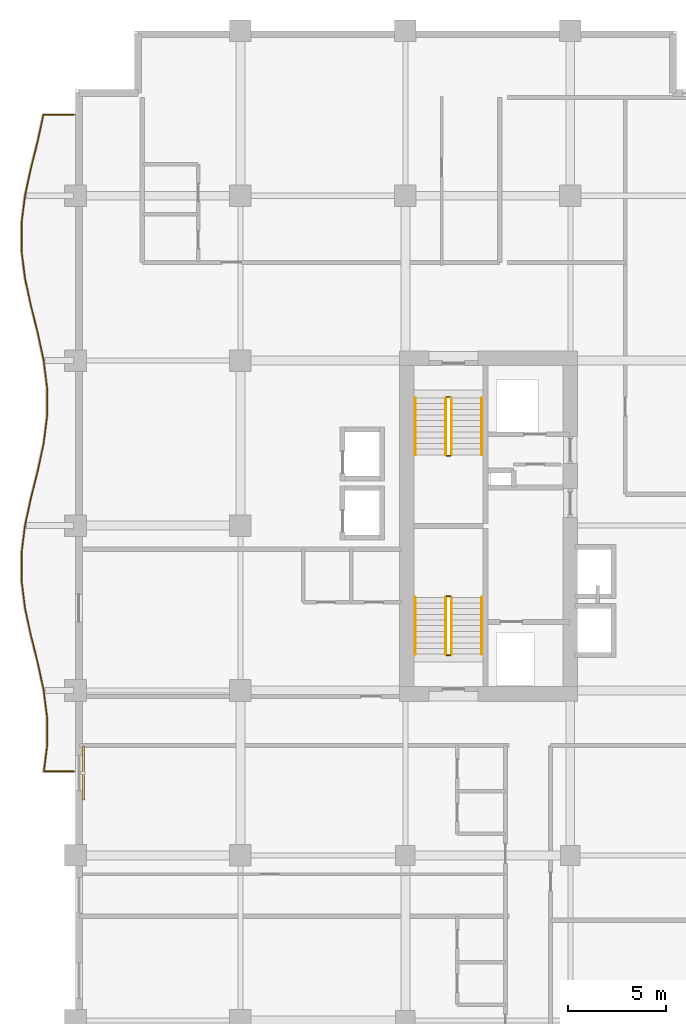
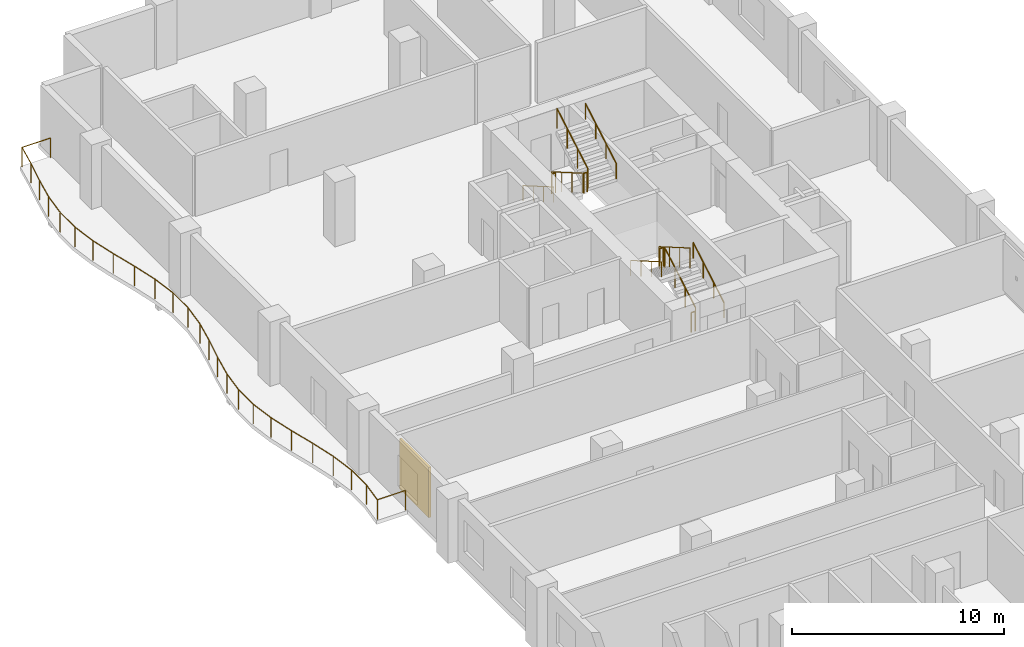
# One storey, part 15 of 16: 13 railings, 1 shading device.
"""IFC4 building model written with IfcOpenShell, lengths in metres."""

from ifc_helpers import new_model, si_unit, direction, frame, origin, origin_2d, place, context, subcontext, project, spatial, rectangle, circle, extrude, material, layer, layer_set, type_object, element, save


model = new_model("IFC4")

# Units and contexts
model_context = context("Model", 3, precision=1e-05, world=origin(), true_north=direction((0.0, 1.0)))
body_context = subcontext(model_context, "Body", "Model", "MODEL_VIEW")
ifc_project = project(units=[si_unit("LENGTHUNIT", "METRE"), si_unit("AREAUNIT", "SQUARE_METRE"), si_unit("VOLUMEUNIT", "CUBIC_METRE"), si_unit("PLANEANGLEUNIT", "RADIAN"), si_unit("MASSUNIT", "GRAM", prefix="KILO")], contexts=[model_context])

# Site, building, storey
site_placement = place(None, origin())
site = spatial("IfcSite", under=ifc_project, at=site_placement, CompositionType="ELEMENT")
building_placement = place(site_placement, origin())
building = spatial("IfcBuilding", under=site, at=building_placement, Name="Koriwani Terraces Tower", CompositionType="ELEMENT")
storey_placement = place(building_placement, frame((0.0, 0.0, 186.5)))
storey = spatial("IfcBuildingStorey", under=building, at=storey_placement, Name="L45", CompositionType="ELEMENT", Elevation=186.5)

# Railings
ifc_material_1 = material(Name="Steel ASTM A572 Grade 50", Category="steel")
railing_type_1 = type_object("IfcRailingType", Name="GUARD_BALUSTRADE_1150", PredefinedType="BALUSTRADE", material=ifc_material_1)
railing_1_placement = place(storey_placement, frame((-0.080078125, 37.8798828125, 0.0)))
element("IfcRailing", 1, at=railing_1_placement, inside=storey, type_object=railing_type_1, Name="L45 Balcony Perimeter Safety Balustrade (W)", PredefinedType="BALUSTRADE", context=body_context, shape_type="SweptSolid", body=[
    extrude(circle(Radius=0.02392578125, at=origin_2d()), frame((0.0, 0.0, 1.1259765625), z_axis=(-1.0, 0.0, 0.0), x_axis=(0.0, -1.0, 0.0)), (0.0, 0.0, 1.0), 1.527099609375),
    extrude(circle(Radius=0.02392578125, at=origin_2d()), frame((-1.527099609375, 0.0, 1.1259765625), z_axis=(0.123603958219, 0.992331628798, 0.0), x_axis=(-0.992331628798, 0.123603958219, 0.0)), (0.0, 0.0, 1.0), 1.325439453125),
    extrude(circle(Radius=0.02392578125, at=origin_2d()), frame((-1.36328125, 1.315185546875, 1.1259765625), z_axis=(0.0, 1.0, 0.0), x_axis=(-1.0, 0.0, 0.0)), (0.0, 0.0, 1.0), 1.409912109375),
    extrude(circle(Radius=0.02392578125, at=origin_2d()), frame((-1.36328125, 2.72509765625, 1.1259765625), z_axis=(-0.123674829633, 0.992322798546, 0.0), x_axis=(-0.992322798546, -0.123674829633, 0.0)), (0.0, 0.0, 1.0), 1.41943359375),
    extrude(circle(Radius=0.02392578125, at=origin_2d()), frame((-1.538818359375, 4.133544921875, 1.1259765625), z_axis=(-0.21115295759, 0.977453031353, 0.0), x_axis=(-0.977453031353, -0.21115295759, 0.0)), (0.0, 0.0, 1.0), 1.437255859375),
    extrude(circle(Radius=0.02392578125, at=origin_2d()), frame((-1.84228515625, 5.538330078125, 1.1259765625), z_axis=(-0.242137466795, 0.970241952903, 0.0), x_axis=(-0.970241952903, -0.242137466795, 0.0)), (0.0, 0.0, 1.0), 1.44287109375),
    extrude(circle(Radius=0.02392578125, at=origin_2d()), frame((-2.191650390625, 6.938232421875, 1.1259765625), z_axis=(-0.211385782237, 0.977402706702, 0.0), x_axis=(-0.977402706702, -0.211385782237, 0.0)), (0.0, 0.0, 1.0), 1.427490234375),
    extrude(circle(Radius=0.02392578125, at=origin_2d()), frame((-2.493408203125, 8.33349609375, 1.1259765625), z_axis=(-0.123777613669, 0.992309982997, 0.0), x_axis=(-0.992309982997, -0.123777613669, 0.0)), (0.0, 0.0, 1.0), 1.40234375),
    extrude(circle(Radius=0.02392578125, at=origin_2d()), frame((-2.6669921875, 9.72509765625, 1.1259765625), z_axis=(0.0, 1.0, 0.0), x_axis=(-1.0, 0.0, 0.0)), (0.0, 0.0, 1.0), 1.39013671875),
    extrude(circle(Radius=0.02392578125, at=origin_2d()), frame((-2.6669921875, 11.115234375, 1.1259765625), z_axis=(0.123777613669, 0.992309982997, 0.0), x_axis=(-0.992309982997, 0.123777613669, 0.0)), (0.0, 0.0, 1.0), 1.40234375),
    extrude(circle(Radius=0.02392578125, at=origin_2d()), frame((-2.493408203125, 12.5068359375, 1.1259765625), z_axis=(0.211385782237, 0.977402706702, 0.0), x_axis=(-0.977402706702, 0.211385782237, 0.0)), (0.0, 0.0, 1.0), 1.427490234375),
    extrude(circle(Radius=0.02392578125, at=origin_2d()), frame((-2.191650390625, 13.902099609375, 1.1259765625), z_axis=(0.242137466795, 0.970241952903, 0.0), x_axis=(-0.970241952903, 0.242137466795, 0.0)), (0.0, 0.0, 1.0), 1.44287109375),
    extrude(circle(Radius=0.02392578125, at=origin_2d()), frame((-1.84228515625, 15.302001953125, 1.1259765625), z_axis=(0.21115295759, 0.977453031353, 0.0), x_axis=(-0.977453031353, 0.21115295759, 0.0)), (0.0, 0.0, 1.0), 1.437255859375),
    extrude(circle(Radius=0.02392578125, at=origin_2d()), frame((-1.538818359375, 16.706787109375, 1.1259765625), z_axis=(0.123674829633, 0.992322798546, 0.0), x_axis=(-0.992322798546, 0.123674829633, 0.0)), (0.0, 0.0, 1.0), 1.41943359375),
    extrude(circle(Radius=0.02392578125, at=origin_2d()), frame((-1.36328125, 18.115234375, 1.1259765625), z_axis=(0.0, 1.0, 0.0), x_axis=(-1.0, 0.0, 0.0)), (0.0, 0.0, 1.0), 1.409912109375),
    extrude(circle(Radius=0.02392578125, at=origin_2d()), frame((-1.36328125, 19.525146484375, 1.1259765625), z_axis=(-0.123674829633, 0.992322798546, 0.0), x_axis=(-0.992322798546, -0.123674829633, 0.0)), (0.0, 0.0, 1.0), 1.41943359375),
    extrude(circle(Radius=0.02392578125, at=origin_2d()), frame((-1.538818359375, 20.93359375, 1.1259765625), z_axis=(-0.211188023857, 0.977445455552, 0.0), x_axis=(-0.977445455552, -0.211188023857, 0.0)), (0.0, 0.0, 1.0), 1.43701171875),
    extrude(circle(Radius=0.02392578125, at=origin_2d()), frame((-1.84228515625, 22.338134765625, 1.1259765625), z_axis=(-0.242097720621, 0.970251871253, 0.0), x_axis=(-0.970251871253, -0.242097720621, 0.0)), (0.0, 0.0, 1.0), 1.443115234375),
    extrude(circle(Radius=0.02392578125, at=origin_2d()), frame((-2.191650390625, 23.73828125, 1.1259765625), z_axis=(-0.211385782237, 0.977402706702, 0.0), x_axis=(-0.977402706702, -0.211385782237, 0.0)), (0.0, 0.0, 1.0), 1.427490234375),
    extrude(circle(Radius=0.02392578125, at=origin_2d()), frame((-2.493408203125, 25.133544921875, 1.1259765625), z_axis=(-0.123777613669, 0.992309982997, 0.0), x_axis=(-0.992309982997, -0.123777613669, 0.0)), (0.0, 0.0, 1.0), 1.40234375),
    extrude(circle(Radius=0.02392578125, at=origin_2d()), frame((-2.6669921875, 26.525146484375, 1.1259765625), z_axis=(0.0, 1.0, 0.0), x_axis=(-1.0, 0.0, 0.0)), (0.0, 0.0, 1.0), 1.389892578125),
    extrude(circle(Radius=0.02392578125, at=origin_2d()), frame((-2.6669921875, 27.9150390625, 1.1259765625), z_axis=(0.123777613669, 0.992309982997, 0.0), x_axis=(-0.992309982997, 0.123777613669, 0.0)), (0.0, 0.0, 1.0), 1.40234375),
    extrude(circle(Radius=0.02392578125, at=origin_2d()), frame((-2.493408203125, 29.306640625, 1.1259765625), z_axis=(0.211385782237, 0.977402706702, 0.0), x_axis=(-0.977402706702, 0.211385782237, 0.0)), (0.0, 0.0, 1.0), 1.427490234375),
    extrude(circle(Radius=0.02392578125, at=origin_2d()), frame((-2.191650390625, 30.701904296875, 1.1259765625), z_axis=(0.242097720621, 0.970251871253, 0.0), x_axis=(-0.970251871253, 0.242097720621, 0.0)), (0.0, 0.0, 1.0), 1.443115234375),
    extrude(circle(Radius=0.02392578125, at=origin_2d()), frame((-1.84228515625, 32.10205078125, 1.1259765625), z_axis=(0.211318979222, 0.977417151998, 0.0), x_axis=(-0.977417151998, 0.211318979222, 0.0)), (0.0, 0.0, 1.0), 1.369140625),
    extrude(circle(Radius=0.02392578125, at=origin_2d()), frame((-1.552978515625, 33.440185546875, 1.1259765625), z_axis=(1.0, 0.0, 0.0), x_axis=(0.0, 1.0, 0.0)), (0.0, 0.0, 1.0), 1.552978515625),
    extrude(circle(Radius=0.02099609375, at=origin_2d()), origin(), (0.0, 0.0, 1.0), 1.101806640625),
    extrude(circle(Radius=0.02099609375, at=origin_2d()), frame((-1.527099609375, 0.0, 0.0)), (0.0, 0.0, 1.0), 1.101806640625),
    extrude(circle(Radius=0.02099609375, at=origin_2d()), frame((-1.36328125, 1.315185546875, 0.0)), (0.0, 0.0, 1.0), 1.101806640625),
    extrude(circle(Radius=0.02099609375, at=origin_2d()), frame((-1.36328125, 2.72509765625, 0.0)), (0.0, 0.0, 1.0), 1.101806640625),
    extrude(circle(Radius=0.02099609375, at=origin_2d()), frame((-1.538818359375, 4.133544921875, 0.0)), (0.0, 0.0, 1.0), 1.101806640625),
    extrude(circle(Radius=0.02099609375, at=origin_2d()), frame((-1.84228515625, 5.538330078125, 0.0)), (0.0, 0.0, 1.0), 1.101806640625),
    extrude(circle(Radius=0.02099609375, at=origin_2d()), frame((-2.191650390625, 6.938232421875, 0.0)), (0.0, 0.0, 1.0), 1.101806640625),
    extrude(circle(Radius=0.02099609375, at=origin_2d()), frame((-2.493408203125, 8.33349609375, 0.0)), (0.0, 0.0, 1.0), 1.101806640625),
    extrude(circle(Radius=0.02099609375, at=origin_2d()), frame((-2.6669921875, 9.72509765625, 0.0)), (0.0, 0.0, 1.0), 1.101806640625),
    extrude(circle(Radius=0.02099609375, at=origin_2d()), frame((-2.6669921875, 11.115234375, 0.0)), (0.0, 0.0, 1.0), 1.101806640625),
    extrude(circle(Radius=0.02099609375, at=origin_2d()), frame((-2.493408203125, 12.5068359375, 0.0)), (0.0, 0.0, 1.0), 1.101806640625),
    extrude(circle(Radius=0.02099609375, at=origin_2d()), frame((-2.191650390625, 13.902099609375, 0.0)), (0.0, 0.0, 1.0), 1.101806640625),
    extrude(circle(Radius=0.02099609375, at=origin_2d()), frame((-1.84228515625, 15.302001953125, 0.0)), (0.0, 0.0, 1.0), 1.101806640625),
    extrude(circle(Radius=0.02099609375, at=origin_2d()), frame((-1.538818359375, 16.706787109375, 0.0)), (0.0, 0.0, 1.0), 1.101806640625),
    extrude(circle(Radius=0.02099609375, at=origin_2d()), frame((-1.36328125, 18.115234375, 0.0)), (0.0, 0.0, 1.0), 1.101806640625),
    extrude(circle(Radius=0.02099609375, at=origin_2d()), frame((-1.36328125, 19.525146484375, 0.0)), (0.0, 0.0, 1.0), 1.101806640625),
    extrude(circle(Radius=0.02099609375, at=origin_2d()), frame((-1.538818359375, 20.93359375, 0.0)), (0.0, 0.0, 1.0), 1.101806640625),
    extrude(circle(Radius=0.02099609375, at=origin_2d()), frame((-1.84228515625, 22.338134765625, 0.0)), (0.0, 0.0, 1.0), 1.101806640625),
    extrude(circle(Radius=0.02099609375, at=origin_2d()), frame((-2.191650390625, 23.73828125, 0.0)), (0.0, 0.0, 1.0), 1.101806640625),
    extrude(circle(Radius=0.02099609375, at=origin_2d()), frame((-2.493408203125, 25.133544921875, 0.0)), (0.0, 0.0, 1.0), 1.101806640625),
    extrude(circle(Radius=0.02099609375, at=origin_2d()), frame((-2.6669921875, 26.525146484375, 0.0)), (0.0, 0.0, 1.0), 1.101806640625),
    extrude(circle(Radius=0.02099609375, at=origin_2d()), frame((-2.6669921875, 27.9150390625, 0.0)), (0.0, 0.0, 1.0), 1.101806640625),
    extrude(circle(Radius=0.02099609375, at=origin_2d()), frame((-2.493408203125, 29.306640625, 0.0)), (0.0, 0.0, 1.0), 1.101806640625),
    extrude(circle(Radius=0.02099609375, at=origin_2d()), frame((-2.191650390625, 30.701904296875, 0.0)), (0.0, 0.0, 1.0), 1.101806640625),
    extrude(circle(Radius=0.02099609375, at=origin_2d()), frame((-1.84228515625, 32.10205078125, 0.0)), (0.0, 0.0, 1.0), 1.101806640625),
    extrude(circle(Radius=0.02099609375, at=origin_2d()), frame((-1.552978515625, 33.440185546875, 0.0)), (0.0, 0.0, 1.0), 1.101806640625),
    extrude(circle(Radius=0.02099609375, at=origin_2d()), frame((0.0, 33.440185546875, 0.0)), (0.0, 0.0, 1.0), 1.101806640625),
])
railing_type_2 = type_object("IfcRailingType", Name="GUARD_STAIR_WELL_1120", PredefinedType="GUARDRAIL", material=ifc_material_1)
railing_2_placement = place(storey_placement, frame((19.14990234375, 43.85009765625, 0.168212890625)))
element("IfcRailing", 2, at=railing_2_placement, inside=storey, type_object=railing_type_2, Name="L45 ST-W1 stair guard 1", PredefinedType="GUARDRAIL", context=body_context, shape_type="SweptSolid", body=[
    extrude(circle(Radius=0.02392578125, at=origin_2d()), frame((0.0, 0.0, 1.1259765625), z_axis=(0.0, 0.865038774852, 0.501705010941), x_axis=(-1.0, 0.0, 0.0)), (0.0, 0.0, 1.0), 3.352294921875),
    extrude(circle(Radius=0.02099609375, at=origin_2d()), origin(), (0.0, 0.0, 1.0), 1.101806640625),
    extrude(circle(Radius=0.02099609375, at=origin_2d()), frame((0.0, 0.966552734375, 0.560546875)), (0.0, 0.0, 1.0), 1.101806640625),
    extrude(circle(Radius=0.02099609375, at=origin_2d()), frame((0.0, 1.933349609375, 1.121337890625)), (0.0, 0.0, 1.0), 1.101806640625),
    extrude(circle(Radius=0.02099609375, at=origin_2d()), frame((0.0, 2.89990234375, 1.681884765625)), (0.0, 0.0, 1.0), 1.101806640625),
])
railing_3_placement = place(storey_placement, frame((19.10009765625, 46.800048828125, 1.85009765625)))
element("IfcRailing", 3, at=railing_3_placement, inside=storey, type_object=railing_type_2, Name="L45 ST-W1 stair guard 2", PredefinedType="GUARDRAIL", context=body_context, shape_type="SweptSolid", body=[
    extrude(circle(Radius=0.02392578125, at=origin_2d()), frame((0.0, 0.0, 1.1259765625), z_axis=(-1.0, 0.0, 0.0), x_axis=(0.0, -1.0, 0.0)), (0.0, 0.0, 1.0), 0.2001953125),
    extrude(circle(Radius=0.02099609375, at=origin_2d()), origin(), (0.0, 0.0, 1.0), 1.101806640625),
    extrude(circle(Radius=0.02099609375, at=origin_2d()), frame((-0.2001953125, 0.0, 0.0)), (0.0, 0.0, 1.0), 1.101806640625),
])
railing_4_placement = place(storey_placement, frame((18.85009765625, 46.75, 2.01806640625)))
element("IfcRailing", 4, at=railing_4_placement, inside=storey, type_object=railing_type_2, Name="L45 ST-W1 stair guard 3", PredefinedType="GUARDRAIL", context=body_context, shape_type="SweptSolid", body=[
    extrude(circle(Radius=0.02392578125, at=origin_2d()), frame((0.0, 0.0, 1.1259765625), z_axis=(0.0, -0.865038774852, 0.501705010941), x_axis=(1.0, 0.0, 0.0)), (0.0, 0.0, 1.0), 3.352294921875),
    extrude(circle(Radius=0.02099609375, at=origin_2d()), origin(), (0.0, 0.0, 1.0), 1.101806640625),
    extrude(circle(Radius=0.02099609375, at=origin_2d()), frame((0.0, -0.966552734375, 0.560546875)), (0.0, 0.0, 1.0), 1.101806640625),
    extrude(circle(Radius=0.02099609375, at=origin_2d()), frame((0.0, -1.933349609375, 1.121337890625)), (0.0, 0.0, 1.0), 1.101806640625),
    extrude(circle(Radius=0.02099609375, at=origin_2d()), frame((0.0, -2.89990234375, 1.681884765625)), (0.0, 0.0, 1.0), 1.101806640625),
])
railing_5_placement = place(storey_placement, frame((19.10009765625, 43.800048828125, 0.0)))
element("IfcRailing", 5, at=railing_5_placement, inside=storey, type_object=railing_type_2, Name="L45 ST-W1 stair guard 4", PredefinedType="GUARDRAIL", context=body_context, shape_type="SweptSolid", body=[
    extrude(circle(Radius=0.02392578125, at=origin_2d()), frame((0.0, 0.0, 1.1259765625), z_axis=(-1.0, 0.0, 0.0), x_axis=(0.0, -1.0, 0.0)), (0.0, 0.0, 1.0), 0.2001953125),
    extrude(circle(Radius=0.02099609375, at=origin_2d()), origin(), (0.0, 0.0, 1.0), 1.101806640625),
    extrude(circle(Radius=0.02099609375, at=origin_2d()), frame((-0.2001953125, 0.0, 0.0)), (0.0, 0.0, 1.0), 1.101806640625),
])
railing_6_placement = place(storey_placement, frame((18.85009765625, 56.89990234375, 0.168212890625)))
element("IfcRailing", 6, at=railing_6_placement, inside=storey, type_object=railing_type_2, Name="L45 ST-W2 stair guard 1", PredefinedType="GUARDRAIL", context=body_context, shape_type="SweptSolid", body=[
    extrude(circle(Radius=0.02392578125, at=origin_2d()), frame((0.0, 0.0, 1.1259765625), z_axis=(0.0, -0.865038774852, 0.501705010941), x_axis=(1.0, 0.0, 0.0)), (0.0, 0.0, 1.0), 3.352294921875),
    extrude(circle(Radius=0.02099609375, at=origin_2d()), origin(), (0.0, 0.0, 1.0), 1.101806640625),
    extrude(circle(Radius=0.02099609375, at=origin_2d()), frame((0.0, -0.966552734375, 0.560546875)), (0.0, 0.0, 1.0), 1.101806640625),
    extrude(circle(Radius=0.02099609375, at=origin_2d()), frame((0.0, -1.933349609375, 1.121337890625)), (0.0, 0.0, 1.0), 1.101806640625),
    extrude(circle(Radius=0.02099609375, at=origin_2d()), frame((0.0, -2.89990234375, 1.681884765625)), (0.0, 0.0, 1.0), 1.101806640625),
])
railing_7_placement = place(storey_placement, frame((18.89990234375, 53.949951171875, 1.85009765625)))
element("IfcRailing", 7, at=railing_7_placement, inside=storey, type_object=railing_type_2, Name="L45 ST-W2 stair guard 2", PredefinedType="GUARDRAIL", context=body_context, shape_type="SweptSolid", body=[
    extrude(circle(Radius=0.02392578125, at=origin_2d()), frame((0.0, 0.0, 1.1259765625), z_axis=(1.0, 0.0, 0.0), x_axis=(0.0, 1.0, 0.0)), (0.0, 0.0, 1.0), 0.2001953125),
    extrude(circle(Radius=0.02099609375, at=origin_2d()), origin(), (0.0, 0.0, 1.0), 1.101806640625),
    extrude(circle(Radius=0.02099609375, at=origin_2d()), frame((0.2001953125, 0.0, 0.0)), (0.0, 0.0, 1.0), 1.101806640625),
])
railing_8_placement = place(storey_placement, frame((19.14990234375, 54.0, 2.01806640625)))
element("IfcRailing", 8, at=railing_8_placement, inside=storey, type_object=railing_type_2, Name="L45 ST-W2 stair guard 3", PredefinedType="GUARDRAIL", context=body_context, shape_type="SweptSolid", body=[
    extrude(circle(Radius=0.02392578125, at=origin_2d()), frame((0.0, 0.0, 1.1259765625), z_axis=(0.0, 0.865038774852, 0.501705010941), x_axis=(-1.0, 0.0, 0.0)), (0.0, 0.0, 1.0), 3.352294921875),
    extrude(circle(Radius=0.02099609375, at=origin_2d()), origin(), (0.0, 0.0, 1.0), 1.101806640625),
    extrude(circle(Radius=0.02099609375, at=origin_2d()), frame((0.0, 0.966552734375, 0.560546875)), (0.0, 0.0, 1.0), 1.101806640625),
    extrude(circle(Radius=0.02099609375, at=origin_2d()), frame((0.0, 1.933349609375, 1.121337890625)), (0.0, 0.0, 1.0), 1.101806640625),
    extrude(circle(Radius=0.02099609375, at=origin_2d()), frame((0.0, 2.89990234375, 1.681884765625)), (0.0, 0.0, 1.0), 1.101806640625),
])
railing_9_placement = place(storey_placement, frame((18.89990234375, 56.949951171875, 0.0)))
element("IfcRailing", 9, at=railing_9_placement, inside=storey, type_object=railing_type_2, Name="L45 ST-W2 stair guard 4", PredefinedType="GUARDRAIL", context=body_context, shape_type="SweptSolid", body=[
    extrude(circle(Radius=0.02392578125, at=origin_2d()), frame((0.0, 0.0, 1.1259765625), z_axis=(1.0, 0.0, 0.0), x_axis=(0.0, 1.0, 0.0)), (0.0, 0.0, 1.0), 0.2001953125),
    extrude(circle(Radius=0.02099609375, at=origin_2d()), origin(), (0.0, 0.0, 1.0), 1.101806640625),
    extrude(circle(Radius=0.02099609375, at=origin_2d()), frame((0.2001953125, 0.0, 0.0)), (0.0, 0.0, 1.0), 1.101806640625),
])
railing_type_3 = type_object("IfcRailingType", Name="HANDRAIL_STAIR_920", PredefinedType="HANDRAIL", material=ifc_material_1)
railing_10_placement = place(storey_placement, frame((20.699951171875, 43.85009765625, 0.168212890625)))
element("IfcRailing", 10, at=railing_10_placement, inside=storey, type_object=railing_type_3, Name="L45 ST-W1 stair handrail 1", PredefinedType="HANDRAIL", context=body_context, shape_type="SweptSolid", body=[
    extrude(circle(Radius=0.02392578125, at=origin_2d()), frame((0.0, 0.0, 0.8759765625), z_axis=(0.0, 0.865038774852, 0.501705010941), x_axis=(-1.0, 0.0, 0.0)), (0.0, 0.0, 1.0), 3.352294921875),
    extrude(circle(Radius=0.02099609375, at=origin_2d()), origin(), (0.0, 0.0, 1.0), 0.851806640625),
    extrude(circle(Radius=0.02099609375, at=origin_2d()), frame((0.0, 0.966552734375, 0.560546875)), (0.0, 0.0, 1.0), 0.851806640625),
    extrude(circle(Radius=0.02099609375, at=origin_2d()), frame((0.0, 1.933349609375, 1.121337890625)), (0.0, 0.0, 1.0), 0.851806640625),
    extrude(circle(Radius=0.02099609375, at=origin_2d()), frame((0.0, 2.89990234375, 1.681884765625)), (0.0, 0.0, 1.0), 0.851806640625),
])
for number, where, name in (
    (11, (17.300048828125, 46.75, 2.01806640625), "L45 ST-W1 stair handrail 2"),
    (12, (17.300048828125, 56.89990234375, 0.168212890625), "L45 ST-W2 stair handrail 1"),
):
    element("IfcRailing", number, at=place(storey_placement, frame(where)), inside=storey, type_object=railing_type_3, Name=name, PredefinedType="HANDRAIL", context=body_context, shape_type="SweptSolid", body=[
        extrude(circle(Radius=0.02392578125, at=origin_2d()), frame((0.0, 0.0, 0.8759765625), z_axis=(0.0, -0.865038774852, 0.501705010941), x_axis=(1.0, 0.0, 0.0)), (0.0, 0.0, 1.0), 3.352294921875),
        extrude(circle(Radius=0.02099609375, at=origin_2d()), origin(), (0.0, 0.0, 1.0), 0.851806640625),
        extrude(circle(Radius=0.02099609375, at=origin_2d()), frame((0.0, -0.966552734375, 0.560546875)), (0.0, 0.0, 1.0), 0.851806640625),
        extrude(circle(Radius=0.02099609375, at=origin_2d()), frame((0.0, -1.933349609375, 1.121337890625)), (0.0, 0.0, 1.0), 0.851806640625),
        extrude(circle(Radius=0.02099609375, at=origin_2d()), frame((0.0, -2.89990234375, 1.681884765625)), (0.0, 0.0, 1.0), 0.851806640625),
    ])
railing_11_placement = place(storey_placement, frame((20.699951171875, 54.0, 2.01806640625)))
element("IfcRailing", 13, at=railing_11_placement, inside=storey, type_object=railing_type_3, Name="L45 ST-W2 stair handrail 2", PredefinedType="HANDRAIL", context=body_context, shape_type="SweptSolid", body=[
    extrude(circle(Radius=0.02392578125, at=origin_2d()), frame((0.0, 0.0, 0.8759765625), z_axis=(0.0, 0.865038774852, 0.501705010941), x_axis=(-1.0, 0.0, 0.0)), (0.0, 0.0, 1.0), 3.352294921875),
    extrude(circle(Radius=0.02099609375, at=origin_2d()), origin(), (0.0, 0.0, 1.0), 0.851806640625),
    extrude(circle(Radius=0.02099609375, at=origin_2d()), frame((0.0, 0.966552734375, 0.560546875)), (0.0, 0.0, 1.0), 0.851806640625),
    extrude(circle(Radius=0.02099609375, at=origin_2d()), frame((0.0, 1.933349609375, 1.121337890625)), (0.0, 0.0, 1.0), 0.851806640625),
    extrude(circle(Radius=0.02099609375, at=origin_2d()), frame((0.0, 2.89990234375, 1.681884765625)), (0.0, 0.0, 1.0), 0.851806640625),
])

# Shading device
ifc_material_2 = material(Name="Extruded Terracotta Clay", Category="masonry")
ifc_layer = layer(ifc_material_2, 0.1201171875, Name="Extruded Terracotta Clay")
ifc_layer_set = layer_set([ifc_layer], Name="Extruded Terracotta Clay")
shading_device_type = type_object("IfcShadingDeviceType", Name="TERRACOTTA_BAGUETTE_SCREEN_2800", PredefinedType="USERDEFINED", material=ifc_layer_set)
shading_device_placement = place(storey_placement, frame((0.405029296875, 37.800048828125, 0.28515625), z_axis=(0.0, 0.0, 1.0), x_axis=(0.0, 1.0, 0.0)))
element("IfcShadingDevice", 14, at=shading_device_placement, inside=storey, type_object=shading_device_type, Name="L45 Extruded Terracotta Baguette Screen (W-12)", ObjectType="BAGUETTE", PredefinedType="USERDEFINED", context=body_context, shape_type="SweptSolid", body=[
    extrude(rectangle(XDim=2.760009765625, YDim=0.1201171875, at=origin_2d()), origin(), (0.0, 0.0, 1.0), 2.89990234375),
])

save(model, "model.ifc")
